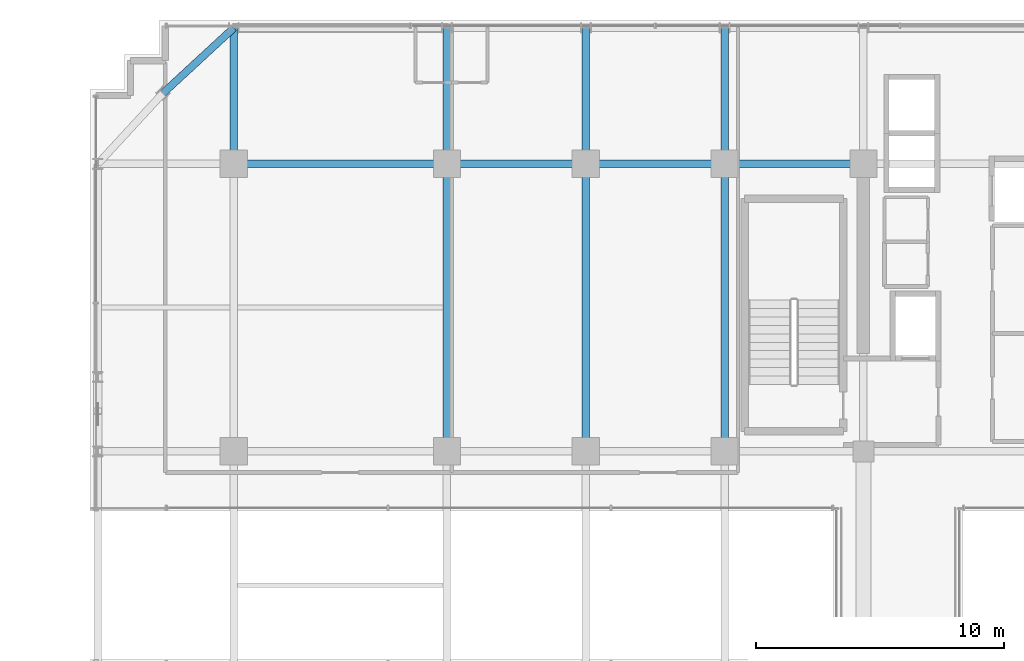
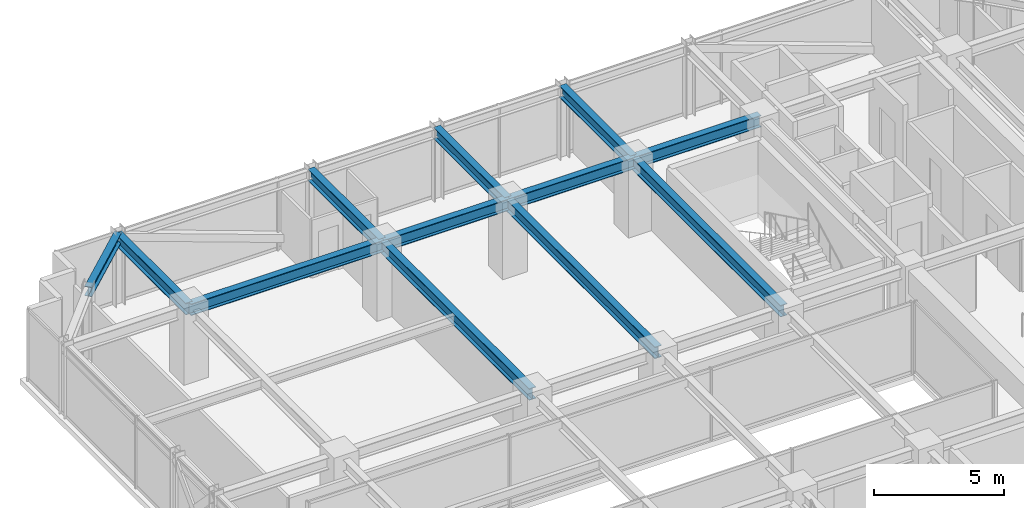
# One storey, part 21 of 35: 12 beams.
"""IFC4 building model written with IfcOpenShell, lengths in metres."""

from ifc_helpers import new_model, si_unit, direction, frame, origin, origin_2d, place, context, subcontext, project, spatial, i_section, extrude, source, transform, mapped, material, material_profile, profile_set, type_object, element, save


model = new_model("IFC4")

# Units and contexts
model_context = context("Model", 3, precision=1e-05, world=origin(), true_north=direction((0.0, 1.0)))
body_context = subcontext(model_context, "Body", "Model", "MODEL_VIEW")
ifc_project = project(units=[si_unit("LENGTHUNIT", "METRE"), si_unit("AREAUNIT", "SQUARE_METRE"), si_unit("VOLUMEUNIT", "CUBIC_METRE"), si_unit("PLANEANGLEUNIT", "RADIAN"), si_unit("MASSUNIT", "GRAM", prefix="KILO")], contexts=[model_context])

# Site, building, storey
site_placement = place(None, origin())
site = spatial("IfcSite", under=ifc_project, at=site_placement, CompositionType="ELEMENT")
building_placement = place(site_placement, origin())
building = spatial("IfcBuilding", under=site, at=building_placement, Name="Nahalor Promenade Grand Hotel", CompositionType="ELEMENT")
storey_placement = place(building_placement, frame((0.0, 0.0, 185.5)))
storey = spatial("IfcBuildingStorey", under=building, at=storey_placement, Name="L47", CompositionType="ELEMENT", Elevation=185.5)

# Beams
ifc_material = material(Name="Steel S355JR", Category="steel")
ifc_material_profile_1 = material_profile(ifc_material, i_section(OverallWidth=0.3, OverallDepth=0.55, WebThickness=0.015, FlangeThickness=0.029, at=origin_2d()), Name="HEB 550")
ifc_profile_set_1 = profile_set([ifc_material_profile_1], Name="Steel S355JR")
beam_type_1 = type_object("IfcBeamType", Name="Beam-Girder-HEB550", PredefinedType="BEAM", material=ifc_profile_set_1)
shared_shape_1 = source(origin(), body_context, "Body", "SweptSolid", [
    extrude(i_section(OverallWidth=0.3, OverallDepth=0.55, WebThickness=0.015, FlangeThickness=0.029, at=origin_2d()), origin(), (0.0, 0.0, 1.0), 8.60009765625),
])
beam_1_placement = place(storey_placement, frame((-17.0, 17.0, 3.114990234375), z_axis=(1.0, 0.0, 0.0), x_axis=(0.0, 1.0, 0.0)))
element("IfcBeam", 1, at=beam_1_placement, inside=storey, type_object=beam_type_1, Name="BM-L47-GX-3-1", PredefinedType="BEAM", context=body_context, shape_type="MappedRepresentation", body=[
    mapped(shared_shape_1, transform((0.0, 0.0, 0.0), scale=1.0)),
])
shared_shape_2 = source(origin(), body_context, "Body", "SweptSolid", [
    extrude(i_section(OverallWidth=0.3, OverallDepth=0.55, WebThickness=0.015, FlangeThickness=0.029, at=origin_2d()), origin(), (0.0, 0.0, 1.0), 5.599853515625),
])
for number, where, z_axis, x_axis, name in (
    (2, (-8.39990234375, 17.0, 3.114990234375), (1.0, 0.0, 0.0), (0.0, 1.0, 0.0), "BM-L47-GX-3-2"),
    (3, (2.800048828125, 17.0, 3.114990234375), (1.0, 0.0, 0.0), (0.0, 1.0, 0.0), "BM-L47-GX-3-4"),
):
    element("IfcBeam", number, at=place(storey_placement, frame(where, z_axis=z_axis, x_axis=x_axis)), inside=storey, type_object=beam_type_1, Name=name, PredefinedType="BEAM", context=body_context, shape_type="MappedRepresentation", body=[
        mapped(shared_shape_2, transform((0.0, 0.0, 0.0), scale=1.0)),
    ])
shared_shape_3 = source(origin(), body_context, "Body", "SweptSolid", [
    extrude(i_section(OverallWidth=0.3, OverallDepth=0.55, WebThickness=0.015, FlangeThickness=0.029, at=origin_2d()), origin(), (0.0, 0.0, 1.0), 5.60009765625),
])
beam_2_placement = place(storey_placement, frame((-2.800048828125, 17.0, 3.114990234375), z_axis=(1.0, 0.0, 0.0), x_axis=(0.0, 1.0, 0.0)))
element("IfcBeam", 4, at=beam_2_placement, inside=storey, type_object=beam_type_1, Name="BM-L47-GX-3-3", PredefinedType="BEAM", context=body_context, shape_type="MappedRepresentation", body=[
    mapped(shared_shape_3, transform((0.0, 0.0, 0.0), scale=1.0)),
])
shared_shape_4 = source(origin(), body_context, "Body", "SweptSolid", [
    extrude(i_section(OverallWidth=0.3, OverallDepth=0.55, WebThickness=0.015, FlangeThickness=0.029, at=origin_2d()), origin(), (0.0, 0.0, 1.0), 11.60009765625),
])
for number, where, z_axis, x_axis, name in (
    (5, (-8.39990234375, 5.39990234375, 3.114990234375), (0.0, 1.0, 0.0), (-1.0, 0.0, 0.0), "BM-L47-GY-1-3"),
    (6, (-2.800048828125, 5.39990234375, 3.114990234375), (0.0, 1.0, 0.0), (-1.0, 0.0, 0.0), "BM-L47-GY-2-3"),
    (7, (2.800048828125, 5.39990234375, 3.114990234375), (0.0, 1.0, 0.0), (-1.0, 0.0, 0.0), "BM-L47-GY-3-3"),
):
    element("IfcBeam", number, at=place(storey_placement, frame(where, z_axis=z_axis, x_axis=x_axis)), inside=storey, type_object=beam_type_1, Name=name, PredefinedType="BEAM", context=body_context, shape_type="MappedRepresentation", body=[
        mapped(shared_shape_4, transform((0.0, 0.0, 0.0), scale=1.0)),
    ])
shared_shape_5 = source(origin(), body_context, "Body", "SweptSolid", [
    extrude(i_section(OverallWidth=0.3, OverallDepth=0.55, WebThickness=0.015, FlangeThickness=0.029, at=origin_2d()), origin(), (0.0, 0.0, 1.0), 5.47998046875),
])
for number, where, z_axis, x_axis, name in (
    (8, (-17.0, 17.0, 3.114990234375), (0.0, 1.0, 0.0), (-1.0, 0.0, 0.0), "BM-L47-GY-0-4"),
    (9, (-8.39990234375, 17.0, 3.114990234375), (0.0, 1.0, 0.0), (-1.0, 0.0, 0.0), "BM-L47-GY-1-4"),
    (10, (-2.800048828125, 17.0, 3.114990234375), (0.0, 1.0, 0.0), (-1.0, 0.0, 0.0), "BM-L47-GY-2-4"),
    (11, (2.800048828125, 17.0, 3.114990234375), (0.0, 1.0, 0.0), (-1.0, 0.0, 0.0), "BM-L47-GY-3-4"),
):
    element("IfcBeam", number, at=place(storey_placement, frame(where, z_axis=z_axis, x_axis=x_axis)), inside=storey, type_object=beam_type_1, Name=name, PredefinedType="BEAM", context=body_context, shape_type="MappedRepresentation", body=[
        mapped(shared_shape_5, transform((0.0, 0.0, 0.0), scale=1.0)),
    ])
ifc_material_profile_2 = material_profile(ifc_material, i_section(OverallWidth=0.3, OverallDepth=0.45, WebThickness=0.014, FlangeThickness=0.026, at=origin_2d()), Name="HEB 450")
ifc_profile_set_2 = profile_set([ifc_material_profile_2], Name="Steel S355JR")
beam_type_2 = type_object("IfcBeamType", Name="Beam-Spandrel-HEB450", PredefinedType="SPANDREL", material=ifc_profile_set_2)
shared_shape_6 = source(origin(), body_context, "Body", "SweptSolid", [
    extrude(i_section(OverallWidth=0.3, OverallDepth=0.45, WebThickness=0.014, FlangeThickness=0.026, at=origin_2d()), origin(), (0.0, 0.0, 1.0), 3.878173828125),
])
beam_3_placement = place(storey_placement, frame((-17.0, 22.47998046875, 3.1650390625), z_axis=(-0.73492893846, -0.678144125843, 0.0), x_axis=(0.678144125843, -0.73492893846, 0.0)))
element("IfcBeam", 12, at=beam_3_placement, inside=storey, type_object=beam_type_2, Name="BM-L47-SPC-NW-1", PredefinedType="SPANDREL", context=body_context, shape_type="MappedRepresentation", body=[
    mapped(shared_shape_6, transform((0.0, 0.0, 0.0), scale=1.0)),
])

save(model, "model.ifc")
